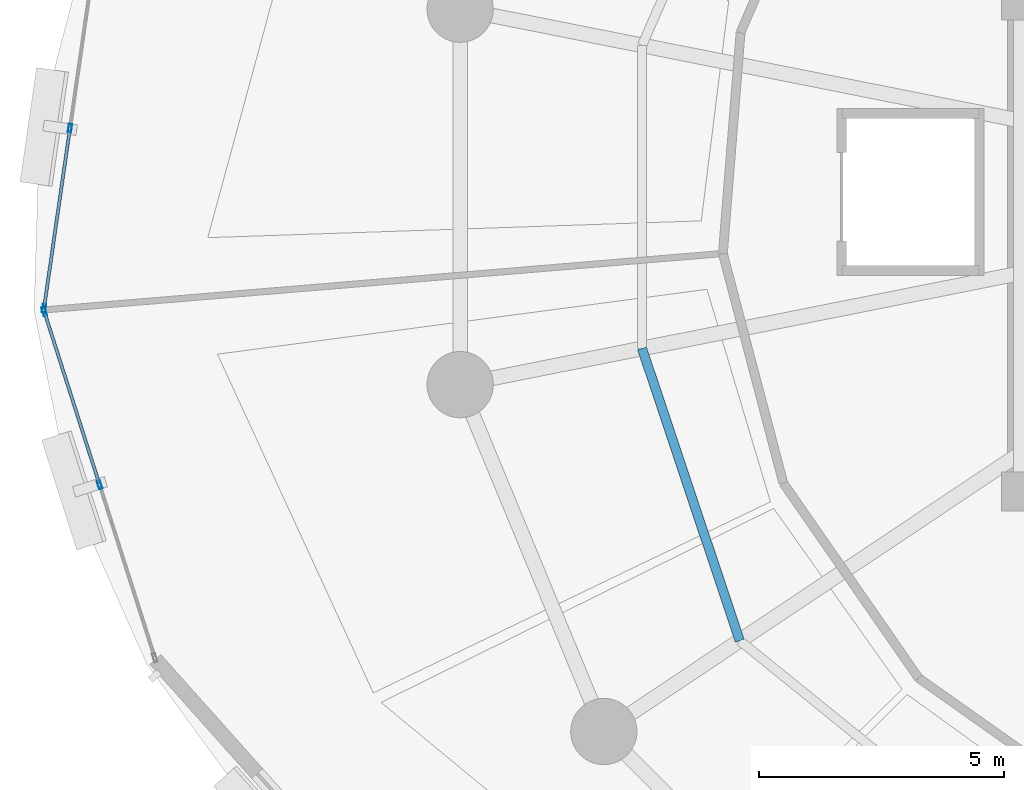
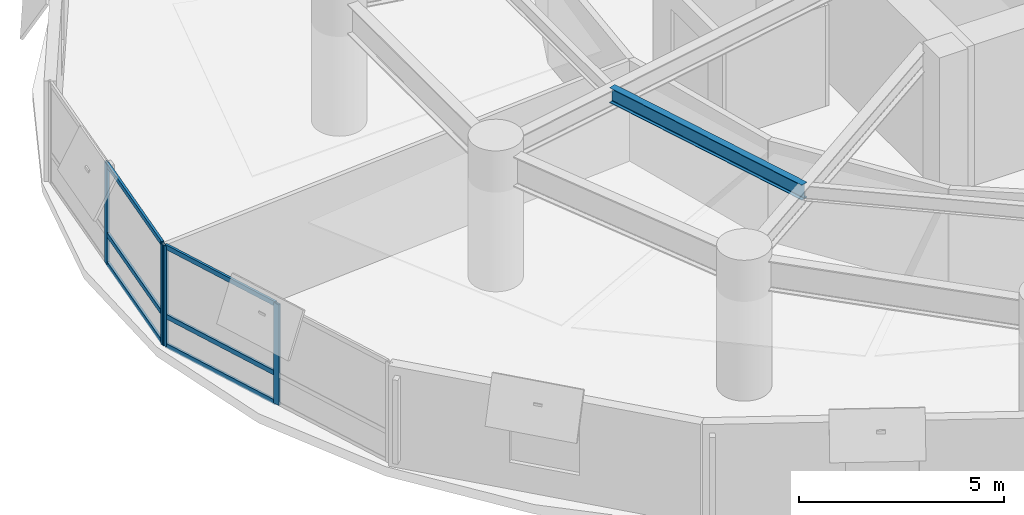
# One storey, part 4 of 16: 10 members, 1 beam, 2 elements without a shape of their own.
"""IFC4 building model written with IfcOpenShell, lengths in metres."""

from ifc_helpers import new_model, si_unit, direction, frame, origin, origin_2d, place, context, subcontext, project, spatial, hollow_rectangle, i_section, extrude, material, layer, layer_set, material_profile, profile_set, type_object, element, aggregate, save


model = new_model("IFC4")

# Units and contexts
model_context = context("Model", 3, precision=1e-05, world=origin(), true_north=direction((0.0, 1.0)))
body_context = subcontext(model_context, "Body", "Model", "MODEL_VIEW")
ifc_project = project(units=[si_unit("LENGTHUNIT", "METRE"), si_unit("AREAUNIT", "SQUARE_METRE"), si_unit("VOLUMEUNIT", "CUBIC_METRE"), si_unit("PLANEANGLEUNIT", "RADIAN"), si_unit("MASSUNIT", "GRAM", prefix="KILO"), si_unit("THERMODYNAMICTEMPERATUREUNIT", "KELVIN"), si_unit("POWERUNIT", "WATT")], contexts=[model_context])

# Site, building, storey
site_placement = place(None, origin())
site = spatial("IfcSite", under=ifc_project, at=site_placement, CompositionType="ELEMENT")
building_placement = place(site_placement, origin())
building = spatial("IfcBuilding", under=site, at=building_placement, Name="Ocrelia Relay Tower", CompositionType="ELEMENT")
storey_placement = place(building_placement, frame((0.0, 0.0, 51.0)))
storey = spatial("IfcBuildingStorey", under=building, at=storey_placement, Name="L11", CompositionType="ELEMENT", Elevation=51.0)

# Beam
ifc_material_1 = material(Name="Steel S355", Category="steel")
ifc_material_profile_1 = material_profile(ifc_material_1, i_section(OverallWidth=0.18994140625, OverallDepth=0.449951171875, WebThickness=0.009521484375, FlangeThickness=0.0146484375, FilletRadius=0.02099609375, at=origin_2d()), Name="IPE 450")
ifc_profile_set_1 = profile_set([ifc_material_profile_1], Name="Steel S355")
beam_type = type_object("IfcBeamType", Name="BM-IPE450", PredefinedType="JOIST", material=ifc_profile_set_1)
beam_placement = place(storey_placement, frame((18.481689453125, 22.9130859375, 3.695068359375), z_axis=(0.317067865999, -0.948402851298, 0.0), x_axis=(0.948402851298, 0.317067865999, 0.0)))
element("IfcBeam", 1, at=beam_placement, inside=storey, type_object=beam_type, Name="L11 Secondary Floor Joist J09", PredefinedType="JOIST", context=body_context, shape_type="SweptSolid", body=[
    extrude(i_section(OverallWidth=0.18994140625, OverallDepth=0.449951171875, WebThickness=0.009521484375, FlangeThickness=0.0146484375, FilletRadius=0.02099609375, at=origin_2d()), origin(), (0.0, 0.0, 1.0), 6.276123046875),
])

# Curtain wall, members
ifc_material_2 = material(Name="Aluminium and solar-control low-E glass", Category="aluminium")
ifc_layer = layer(ifc_material_2, 0.179931640625, Name="Aluminium and solar-control low-E glass")
ifc_layer_set = layer_set([ifc_layer], Name="Aluminium and solar-control low-E glass")
curtain_wall_type = type_object("IfcCurtainWallType", Name="CW-SYS-Z1-DATA", PredefinedType="NOTDEFINED", material=ifc_layer_set)
curtain_wall_1_placement = place(storey_placement, origin())
curtain_wall_1 = element("IfcCurtainWall", 2, at=curtain_wall_1_placement, inside=storey, type_object=curtain_wall_type, Name="L11 Elliptical Tower Curtain Wall Bay 09", PredefinedType="NOTDEFINED")
ifc_material_3 = material(Name="Anodised bronze aluminium", Category="aluminium")
ifc_material_profile_2 = material_profile(ifc_material_3, hollow_rectangle(XDim=0.070068359375, YDim=0.179931640625, WallThickness=0.006103515625, at=origin_2d()), Name="CW-MUL-180x70")
ifc_profile_set_2 = profile_set([ifc_material_profile_2], Name="Anodised bronze aluminium")
member_type_1 = type_object("IfcMemberType", Name="CW-SYS-Z1-DATA-MUL", PredefinedType="MULLION", material=ifc_profile_set_2)
member_1_placement = place(storey_placement, frame((6.829345703125, 27.3974609375, 0.0), z_axis=(0.0, 0.0, 1.0), x_axis=(0.989751624474, -0.14279958631, 0.0)))
member_1 = element("IfcMember", 3, at=member_1_placement, type_object=member_type_1, Name="CW-Z1 mullion 2", PredefinedType="MULLION", context=body_context, shape_type="SweptSolid", body=[
    extrude(hollow_rectangle(XDim=0.070068359375, YDim=0.179931640625, WallThickness=0.006103515625, at=origin_2d()), origin(), (0.0, 0.0, 1.0), 3.0),
])
member_2_placement = place(storey_placement, frame((6.300537109375, 23.732421875, 0.0), z_axis=(0.0, 0.0, 1.0), x_axis=(0.989751624474, -0.14279958631, 0.0)))
member_2 = element("IfcMember", 4, at=member_2_placement, type_object=member_type_1, Name="CW-Z1 mullion 3", PredefinedType="MULLION", context=body_context, shape_type="SweptSolid", body=[
    extrude(hollow_rectangle(XDim=0.070068359375, YDim=0.179931640625, WallThickness=0.006103515625, at=origin_2d()), origin(), (0.0, 0.0, 1.0), 3.0),
])

curtain_wall_2_placement = place(storey_placement, origin())
curtain_wall_2 = element("IfcCurtainWall", 5, at=curtain_wall_2_placement, inside=storey, type_object=curtain_wall_type, Name="L11 Elliptical Tower Curtain Wall Bay 10", PredefinedType="NOTDEFINED")
member_3_placement = place(storey_placement, frame((6.30615234375, 23.66455078125, 0.0), z_axis=(0.0, 0.0, 1.0), x_axis=(0.952608497363, 0.304199031476, 0.0)))
member_3 = element("IfcMember", 6, at=member_3_placement, type_object=member_type_1, Name="CW-Z1 mullion 1", PredefinedType="MULLION", context=body_context, shape_type="SweptSolid", body=[
    extrude(hollow_rectangle(XDim=0.070068359375, YDim=0.179931640625, WallThickness=0.006103515625, at=origin_2d()), origin(), (0.0, 0.0, 1.0), 3.0),
])
member_4_placement = place(storey_placement, frame((7.4326171875, 20.137451171875, 0.0), z_axis=(0.0, 0.0, 1.0), x_axis=(0.952608497363, 0.304199031476, 0.0)))
member_4 = element("IfcMember", 7, at=member_4_placement, type_object=member_type_1, Name="CW-Z1 mullion 2", PredefinedType="MULLION", context=body_context, shape_type="SweptSolid", body=[
    extrude(hollow_rectangle(XDim=0.070068359375, YDim=0.179931640625, WallThickness=0.006103515625, at=origin_2d()), origin(), (0.0, 0.0, 1.0), 3.0),
])

# Member
ifc_material_profile_3 = material_profile(ifc_material_3, hollow_rectangle(XDim=0.06494140625, YDim=0.139892578125, WallThickness=0.0048828125, at=origin_2d()), Name="CW-TRN-140x65")
ifc_profile_set_3 = profile_set([ifc_material_profile_3], Name="Anodised bronze aluminium")
member_type_2 = type_object("IfcMemberType", Name="CW-SYS-Z1-DATA-TRN", PredefinedType="USERDEFINED", material=ifc_profile_set_3)
member_5_placement = place(storey_placement, frame((6.82421875, 27.36279296875, 0.032470703125), z_axis=(-0.142804235243, -0.989750953724, 0.0), x_axis=(0.989750953724, -0.142804235243, 0.0)))
member_5 = element("IfcMember", 8, at=member_5_placement, type_object=member_type_2, Name="CW-Z1 transom 2.1", ObjectType="TRANSOM", PredefinedType="USERDEFINED", context=body_context, shape_type="SweptSolid", body=[
    extrude(hollow_rectangle(XDim=0.06494140625, YDim=0.139892578125, WallThickness=0.0048828125, at=origin_2d()), origin(), (0.0, 0.0, 1.0), 3.633056640625),
])

member_6_placement = place(storey_placement, frame((6.82421875, 27.36279296875, 0.89990234375), z_axis=(-0.142804235243, -0.989750953724, 0.0), x_axis=(0.989750953724, -0.142804235243, 0.0)))
member_6 = element("IfcMember", 9, at=member_6_placement, type_object=member_type_2, Name="CW-Z1 transom 2.2", ObjectType="TRANSOM", PredefinedType="USERDEFINED", context=body_context, shape_type="SweptSolid", body=[
    extrude(hollow_rectangle(XDim=0.06494140625, YDim=0.139892578125, WallThickness=0.0048828125, at=origin_2d()), origin(), (0.0, 0.0, 1.0), 3.633056640625),
])

member_7_placement = place(storey_placement, frame((6.82421875, 27.36279296875, 2.967529296875), z_axis=(-0.142804235243, -0.989750953724, 0.0), x_axis=(0.989750953724, -0.142804235243, 0.0)))
member_7 = element("IfcMember", 10, at=member_7_placement, type_object=member_type_2, Name="CW-Z1 transom 2.3", ObjectType="TRANSOM", PredefinedType="USERDEFINED", context=body_context, shape_type="SweptSolid", body=[
    extrude(hollow_rectangle(XDim=0.06494140625, YDim=0.139892578125, WallThickness=0.0048828125, at=origin_2d()), origin(), (0.0, 0.0, 1.0), 3.633056640625),
])

aggregate(curtain_wall_1, [member_1, member_2, member_5, member_6, member_7])

member_8_placement = place(storey_placement, frame((6.31689453125, 23.631103515625, 0.032470703125), z_axis=(0.30418552168, -0.952612811377, 0.0), x_axis=(0.952612811377, 0.30418552168, 0.0)))
member_8 = element("IfcMember", 11, at=member_8_placement, type_object=member_type_2, Name="CW-Z1 transom 1.1", ObjectType="TRANSOM", PredefinedType="USERDEFINED", context=body_context, shape_type="SweptSolid", body=[
    extrude(hollow_rectangle(XDim=0.06494140625, YDim=0.139892578125, WallThickness=0.0048828125, at=origin_2d()), origin(), (0.0, 0.0, 1.0), 3.632568359375),
])

member_9_placement = place(storey_placement, frame((6.31689453125, 23.631103515625, 0.89990234375), z_axis=(0.30418552168, -0.952612811377, 0.0), x_axis=(0.952612811377, 0.30418552168, 0.0)))
member_9 = element("IfcMember", 12, at=member_9_placement, type_object=member_type_2, Name="CW-Z1 transom 1.2", ObjectType="TRANSOM", PredefinedType="USERDEFINED", context=body_context, shape_type="SweptSolid", body=[
    extrude(hollow_rectangle(XDim=0.06494140625, YDim=0.139892578125, WallThickness=0.0048828125, at=origin_2d()), origin(), (0.0, 0.0, 1.0), 3.632568359375),
])

member_10_placement = place(storey_placement, frame((6.31689453125, 23.631103515625, 2.967529296875), z_axis=(0.30418552168, -0.952612811377, 0.0), x_axis=(0.952612811377, 0.30418552168, 0.0)))
member_10 = element("IfcMember", 13, at=member_10_placement, type_object=member_type_2, Name="CW-Z1 transom 1.3", ObjectType="TRANSOM", PredefinedType="USERDEFINED", context=body_context, shape_type="SweptSolid", body=[
    extrude(hollow_rectangle(XDim=0.06494140625, YDim=0.139892578125, WallThickness=0.0048828125, at=origin_2d()), origin(), (0.0, 0.0, 1.0), 3.632568359375),
])

aggregate(curtain_wall_2, [member_3, member_4, member_8, member_9, member_10])

save(model, "model.ifc")
